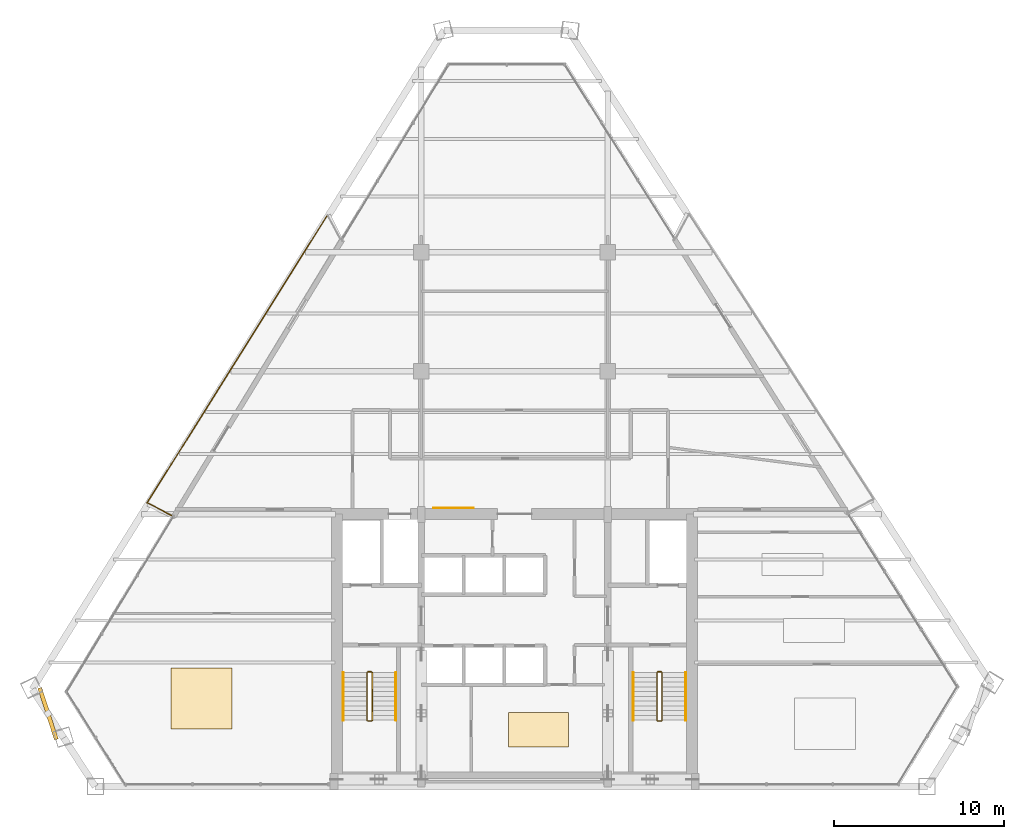
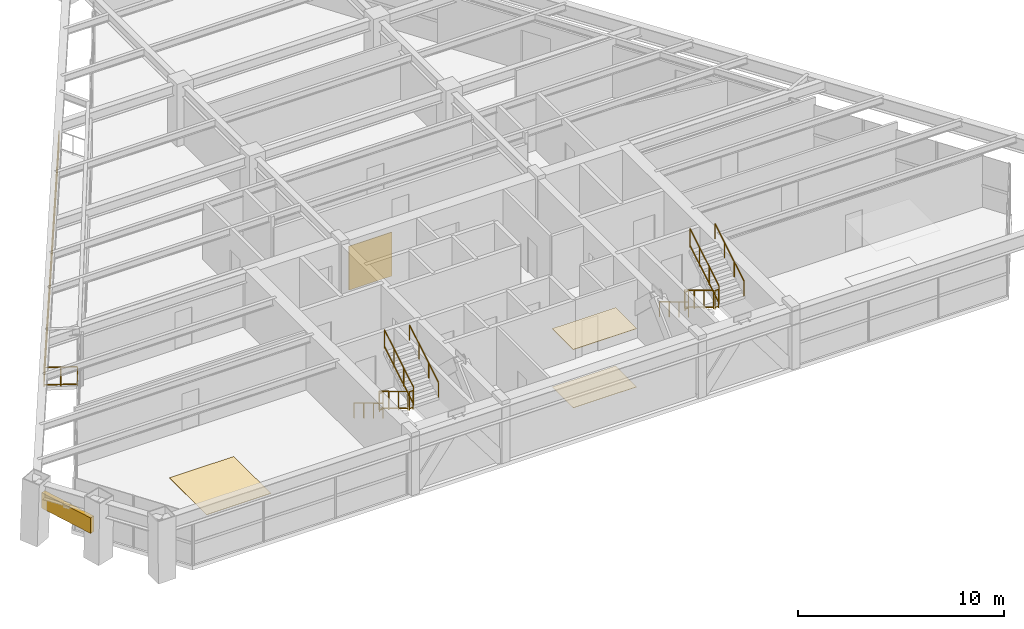
# One storey, part 12 of 13: 14 railings, 4 coverings, 1 shading device.
"""IFC4 building model written with IfcOpenShell, lengths in metres."""

from ifc_helpers import new_model, si_unit, direction, frame, origin, origin_2d, place, context, subcontext, project, spatial, rectangle, extrude, source, transform, mapped, material, layer, layer_set, type_object, type_shapes, element, save


model = new_model("IFC4")

# Units and contexts
model_context = context("Model", 3, precision=1e-05, world=origin(), true_north=direction((0.0, 1.0)))
body_context = subcontext(model_context, "Body", "Model", "MODEL_VIEW")
ifc_project = project(units=[si_unit("LENGTHUNIT", "METRE"), si_unit("AREAUNIT", "SQUARE_METRE"), si_unit("VOLUMEUNIT", "CUBIC_METRE"), si_unit("PLANEANGLEUNIT", "RADIAN"), si_unit("MASSUNIT", "GRAM", prefix="KILO")], contexts=[model_context])

# Site, building, storey
site_placement = place(None, origin())
site = spatial("IfcSite", under=ifc_project, at=site_placement, CompositionType="ELEMENT")
building_placement = place(site_placement, origin())
building = spatial("IfcBuilding", under=site, at=building_placement, Name="Varnakhor Terracotta Tower", CompositionType="ELEMENT")
storey_placement = place(building_placement, frame((0.0, 0.0, 204.300048828125)))
storey = spatial("IfcBuildingStorey", under=building, at=storey_placement, Name="L52", CompositionType="ELEMENT", Elevation=204.300048828125)

# Railings
ifc_material_1 = material(Name="Stainless Steel & Laminated Glass Guardrail", Category="steel")
railing_type_1 = type_object("IfcRailingType", Name="RLG-LOGGIA-GUARD-1150", PredefinedType="GUARDRAIL", material=ifc_material_1)
railing_1_placement = place(storey_placement, frame((-20.226318359375, 15.98193359375, 0.0)))
element("IfcRailing", 1, at=railing_1_placement, inside=storey, type_object=railing_type_1, Name="L52 W Loggia Glass Guard 1", PredefinedType="GUARDRAIL", context=body_context, shape_type="SweptSolid", body=[
    extrude(rectangle(XDim=0.048095703125, YDim=0.048095703125, at=origin_2d()), frame((0.0, 0.0, 1.1259765625), z_axis=(-0.88413483846, 0.467231834768, 0.0), x_axis=(-0.467231834768, -0.88413483846, 0.0)), (0.0, 0.0, 1.0), 1.625),
    extrude(rectangle(XDim=0.048095703125, YDim=0.048095703125, at=origin_2d()), frame((0.0, 0.0, 0.10009765625), z_axis=(-0.88413483846, 0.467231834768, 0.0), x_axis=(-0.467231834768, -0.88413483846, 0.0)), (0.0, 0.0, 1.0), 1.625),
    extrude(rectangle(XDim=0.0419921875, YDim=0.0419921875, at=origin_2d()), origin(), (0.0, 0.0, 1.0), 1.101806640625),
    extrude(rectangle(XDim=0.0419921875, YDim=0.0419921875, at=origin_2d()), frame((-0.71826171875, 0.379638671875, 0.0)), (0.0, 0.0, 1.0), 1.101806640625),
    extrude(rectangle(XDim=0.0419921875, YDim=0.0419921875, at=origin_2d()), frame((-1.436767578125, 0.75927734375, 0.0)), (0.0, 0.0, 1.0), 1.101806640625),
])
railing_2_placement = place(storey_placement, frame((-21.6630859375, 16.7412109375, 0.0)))
element("IfcRailing", 2, at=railing_2_placement, inside=storey, type_object=railing_type_1, Name="L52 W Loggia Glass Guard 2", PredefinedType="GUARDRAIL", context=body_context, shape_type="SweptSolid", body=[
    extrude(rectangle(XDim=0.048095703125, YDim=0.048095703125, at=origin_2d()), frame((0.0, 0.0, 1.1259765625), z_axis=(0.531104327035, 0.847306434417, 0.0), x_axis=(-0.847306434417, 0.531104327035, 0.0)), (0.0, 0.0, 1.0), 20.003662109375),
    extrude(rectangle(XDim=0.048095703125, YDim=0.048095703125, at=origin_2d()), frame((0.0, 0.0, 0.10009765625), z_axis=(0.531104327035, 0.847306434417, 0.0), x_axis=(-0.847306434417, 0.531104327035, 0.0)), (0.0, 0.0, 1.0), 20.003662109375),
    extrude(rectangle(XDim=0.0419921875, YDim=0.0419921875, at=origin_2d()), origin(), (0.0, 0.0, 1.0), 1.101806640625),
    extrude(rectangle(XDim=0.0419921875, YDim=0.0419921875, at=origin_2d()), frame((0.708251953125, 1.1298828125, 0.0)), (0.0, 0.0, 1.0), 1.101806640625),
    extrude(rectangle(XDim=0.0419921875, YDim=0.0419921875, at=origin_2d()), frame((1.41650390625, 2.260009765625, 0.0)), (0.0, 0.0, 1.0), 1.101806640625),
    extrude(rectangle(XDim=0.0419921875, YDim=0.0419921875, at=origin_2d()), frame((2.124755859375, 3.389892578125, 0.0)), (0.0, 0.0, 1.0), 1.101806640625),
    extrude(rectangle(XDim=0.0419921875, YDim=0.0419921875, at=origin_2d()), frame((2.8330078125, 4.519775390625, 0.0)), (0.0, 0.0, 1.0), 1.101806640625),
    extrude(rectangle(XDim=0.0419921875, YDim=0.0419921875, at=origin_2d()), frame((3.541259765625, 5.649658203125, 0.0)), (0.0, 0.0, 1.0), 1.101806640625),
    extrude(rectangle(XDim=0.0419921875, YDim=0.0419921875, at=origin_2d()), frame((4.24951171875, 6.77978515625, 0.0)), (0.0, 0.0, 1.0), 1.101806640625),
    extrude(rectangle(XDim=0.0419921875, YDim=0.0419921875, at=origin_2d()), frame((4.957763671875, 7.90966796875, 0.0)), (0.0, 0.0, 1.0), 1.101806640625),
    extrude(rectangle(XDim=0.0419921875, YDim=0.0419921875, at=origin_2d()), frame((5.666259765625, 9.03955078125, 0.0)), (0.0, 0.0, 1.0), 1.101806640625),
    extrude(rectangle(XDim=0.0419921875, YDim=0.0419921875, at=origin_2d()), frame((6.37451171875, 10.16943359375, 0.0)), (0.0, 0.0, 1.0), 1.101806640625),
    extrude(rectangle(XDim=0.0419921875, YDim=0.0419921875, at=origin_2d()), frame((7.082763671875, 11.299560546875, 0.0)), (0.0, 0.0, 1.0), 1.101806640625),
    extrude(rectangle(XDim=0.0419921875, YDim=0.0419921875, at=origin_2d()), frame((7.791015625, 12.429443359375, 0.0)), (0.0, 0.0, 1.0), 1.101806640625),
    extrude(rectangle(XDim=0.0419921875, YDim=0.0419921875, at=origin_2d()), frame((8.499267578125, 13.559326171875, 0.0)), (0.0, 0.0, 1.0), 1.101806640625),
    extrude(rectangle(XDim=0.0419921875, YDim=0.0419921875, at=origin_2d()), frame((9.20751953125, 14.689208984375, 0.0)), (0.0, 0.0, 1.0), 1.101806640625),
    extrude(rectangle(XDim=0.0419921875, YDim=0.0419921875, at=origin_2d()), frame((9.915771484375, 15.8193359375, 0.0)), (0.0, 0.0, 1.0), 1.101806640625),
    extrude(rectangle(XDim=0.0419921875, YDim=0.0419921875, at=origin_2d()), frame((10.6240234375, 16.94921875, 0.0)), (0.0, 0.0, 1.0), 1.101806640625),
])
ifc_material_2 = material(Name="Painted Steel Stairwell Guardrail", Category="steel")
railing_type_2 = type_object("IfcRailingType", Name="RLG-STAIR-GUARD-1120", PredefinedType="GUARDRAIL", material=ifc_material_2)
railing_3_placement = place(storey_placement, frame((-8.699951171875, 6.7099609375, 0.168212890625)))
element("IfcRailing", 3, at=railing_3_placement, inside=storey, type_object=railing_type_2, Name="L52 ST-1 stair guard 1", PredefinedType="GUARDRAIL", context=body_context, shape_type="SweptSolid", body=[
    extrude(rectangle(XDim=0.048095703125, YDim=0.048095703125, at=origin_2d()), frame((0.0, 0.0, 1.09619140625), z_axis=(0.0, -0.857275202839, 0.514858452973), x_axis=(1.0, 0.0, 0.0)), (0.0, 0.0, 1.0), 3.26611328125),
    extrude(rectangle(XDim=0.048095703125, YDim=0.048095703125, at=origin_2d()), frame((0.0, 0.0, 0.10009765625), z_axis=(0.0, -0.857275202839, 0.514858452973), x_axis=(1.0, 0.0, 0.0)), (0.0, 0.0, 1.0), 3.26611328125),
    extrude(rectangle(XDim=0.0419921875, YDim=0.0419921875, at=origin_2d()), origin(), (0.0, 0.0, 1.0), 1.072021484375),
    extrude(rectangle(XDim=0.0419921875, YDim=0.0419921875, at=origin_2d()), frame((0.0, -0.933349609375, 0.560546875)), (0.0, 0.0, 1.0), 1.072021484375),
    extrude(rectangle(XDim=0.0419921875, YDim=0.0419921875, at=origin_2d()), frame((0.0, -1.86669921875, 1.12109375)), (0.0, 0.0, 1.0), 1.072021484375),
    extrude(rectangle(XDim=0.0419921875, YDim=0.0419921875, at=origin_2d()), frame((0.0, -2.800048828125, 1.681640625)), (0.0, 0.0, 1.0), 1.072021484375),
])
railing_4_placement = place(storey_placement, frame((-8.64990234375, 3.860107421875, 1.849853515625)))
element("IfcRailing", 4, at=railing_4_placement, inside=storey, type_object=railing_type_2, Name="L52 ST-1 stair guard 2", PredefinedType="GUARDRAIL", context=body_context, shape_type="SweptSolid", body=[
    extrude(rectangle(XDim=0.048095703125, YDim=0.048095703125, at=origin_2d()), frame((0.0, 0.0, 1.09619140625), z_axis=(1.0, 0.0, 0.0), x_axis=(0.0, 1.0, 0.0)), (0.0, 0.0, 1.0), 0.199951171875),
    extrude(rectangle(XDim=0.048095703125, YDim=0.048095703125, at=origin_2d()), frame((0.0, 0.0, 0.10009765625), z_axis=(1.0, 0.0, 0.0), x_axis=(0.0, 1.0, 0.0)), (0.0, 0.0, 1.0), 0.199951171875),
    extrude(rectangle(XDim=0.0419921875, YDim=0.0419921875, at=origin_2d()), origin(), (0.0, 0.0, 1.0), 1.072021484375),
    extrude(rectangle(XDim=0.0419921875, YDim=0.0419921875, at=origin_2d()), frame((0.199951171875, 0.0, 0.0)), (0.0, 0.0, 1.0), 1.072021484375),
])
railing_5_placement = place(storey_placement, frame((-8.39990234375, 3.909912109375, 2.01806640625)))
element("IfcRailing", 5, at=railing_5_placement, inside=storey, type_object=railing_type_2, Name="L52 ST-1 stair guard 3", PredefinedType="GUARDRAIL", context=body_context, shape_type="SweptSolid", body=[
    extrude(rectangle(XDim=0.048095703125, YDim=0.048095703125, at=origin_2d()), frame((0.0, 0.0, 1.09619140625), z_axis=(0.0, 0.857242210791, 0.514913383045), x_axis=(-1.0, 0.0, 0.0)), (0.0, 0.0, 1.0), 3.266357421875),
    extrude(rectangle(XDim=0.048095703125, YDim=0.048095703125, at=origin_2d()), frame((0.0, 0.0, 0.10009765625), z_axis=(0.0, 0.857242210791, 0.514913383045), x_axis=(-1.0, 0.0, 0.0)), (0.0, 0.0, 1.0), 3.266357421875),
    extrude(rectangle(XDim=0.0419921875, YDim=0.0419921875, at=origin_2d()), origin(), (0.0, 0.0, 1.0), 1.072021484375),
    extrude(rectangle(XDim=0.0419921875, YDim=0.0419921875, at=origin_2d()), frame((0.0, 0.933349609375, 0.560546875)), (0.0, 0.0, 1.0), 1.072021484375),
    extrude(rectangle(XDim=0.0419921875, YDim=0.0419921875, at=origin_2d()), frame((0.0, 1.86669921875, 1.121337890625)), (0.0, 0.0, 1.0), 1.072021484375),
    extrude(rectangle(XDim=0.0419921875, YDim=0.0419921875, at=origin_2d()), frame((0.0, 2.800048828125, 1.681884765625)), (0.0, 0.0, 1.0), 1.072021484375),
])
railing_6_placement = place(storey_placement, frame((-8.64990234375, 6.760009765625, 0.0)))
element("IfcRailing", 6, at=railing_6_placement, inside=storey, type_object=railing_type_2, Name="L52 ST-1 stair guard 4", PredefinedType="GUARDRAIL", context=body_context, shape_type="SweptSolid", body=[
    extrude(rectangle(XDim=0.048095703125, YDim=0.048095703125, at=origin_2d()), frame((0.0, 0.0, 1.09619140625), z_axis=(1.0, 0.0, 0.0), x_axis=(0.0, 1.0, 0.0)), (0.0, 0.0, 1.0), 0.199951171875),
    extrude(rectangle(XDim=0.048095703125, YDim=0.048095703125, at=origin_2d()), frame((0.0, 0.0, 0.10009765625), z_axis=(1.0, 0.0, 0.0), x_axis=(0.0, 1.0, 0.0)), (0.0, 0.0, 1.0), 0.199951171875),
    extrude(rectangle(XDim=0.0419921875, YDim=0.0419921875, at=origin_2d()), origin(), (0.0, 0.0, 1.0), 1.072021484375),
    extrude(rectangle(XDim=0.0419921875, YDim=0.0419921875, at=origin_2d()), frame((0.199951171875, 0.0, 0.0)), (0.0, 0.0, 1.0), 1.072021484375),
])
railing_7_placement = place(storey_placement, frame((8.39990234375, 6.7099609375, 0.168212890625)))
element("IfcRailing", 7, at=railing_7_placement, inside=storey, type_object=railing_type_2, Name="L52 ST-2 stair guard 1", PredefinedType="GUARDRAIL", context=body_context, shape_type="SweptSolid", body=[
    extrude(rectangle(XDim=0.048095703125, YDim=0.048095703125, at=origin_2d()), frame((0.0, 0.0, 1.09619140625), z_axis=(0.0, -0.857275202839, 0.514858452973), x_axis=(1.0, 0.0, 0.0)), (0.0, 0.0, 1.0), 3.26611328125),
    extrude(rectangle(XDim=0.048095703125, YDim=0.048095703125, at=origin_2d()), frame((0.0, 0.0, 0.10009765625), z_axis=(0.0, -0.857275202839, 0.514858452973), x_axis=(1.0, 0.0, 0.0)), (0.0, 0.0, 1.0), 3.26611328125),
    extrude(rectangle(XDim=0.0419921875, YDim=0.0419921875, at=origin_2d()), origin(), (0.0, 0.0, 1.0), 1.072021484375),
    extrude(rectangle(XDim=0.0419921875, YDim=0.0419921875, at=origin_2d()), frame((0.0, -0.933349609375, 0.560546875)), (0.0, 0.0, 1.0), 1.072021484375),
    extrude(rectangle(XDim=0.0419921875, YDim=0.0419921875, at=origin_2d()), frame((0.0, -1.86669921875, 1.12109375)), (0.0, 0.0, 1.0), 1.072021484375),
    extrude(rectangle(XDim=0.0419921875, YDim=0.0419921875, at=origin_2d()), frame((0.0, -2.800048828125, 1.681640625)), (0.0, 0.0, 1.0), 1.072021484375),
])
railing_8_placement = place(storey_placement, frame((8.449951171875, 3.860107421875, 1.849853515625)))
element("IfcRailing", 8, at=railing_8_placement, inside=storey, type_object=railing_type_2, Name="L52 ST-2 stair guard 2", PredefinedType="GUARDRAIL", context=body_context, shape_type="SweptSolid", body=[
    extrude(rectangle(XDim=0.048095703125, YDim=0.048095703125, at=origin_2d()), frame((0.0, 0.0, 1.09619140625), z_axis=(1.0, 0.0, 0.0), x_axis=(0.0, 1.0, 0.0)), (0.0, 0.0, 1.0), 0.199951171875),
    extrude(rectangle(XDim=0.048095703125, YDim=0.048095703125, at=origin_2d()), frame((0.0, 0.0, 0.10009765625), z_axis=(1.0, 0.0, 0.0), x_axis=(0.0, 1.0, 0.0)), (0.0, 0.0, 1.0), 0.199951171875),
    extrude(rectangle(XDim=0.0419921875, YDim=0.0419921875, at=origin_2d()), origin(), (0.0, 0.0, 1.0), 1.072021484375),
    extrude(rectangle(XDim=0.0419921875, YDim=0.0419921875, at=origin_2d()), frame((0.199951171875, 0.0, 0.0)), (0.0, 0.0, 1.0), 1.072021484375),
])
railing_9_placement = place(storey_placement, frame((8.699951171875, 3.909912109375, 2.01806640625)))
element("IfcRailing", 9, at=railing_9_placement, inside=storey, type_object=railing_type_2, Name="L52 ST-2 stair guard 3", PredefinedType="GUARDRAIL", context=body_context, shape_type="SweptSolid", body=[
    extrude(rectangle(XDim=0.048095703125, YDim=0.048095703125, at=origin_2d()), frame((0.0, 0.0, 1.09619140625), z_axis=(0.0, 0.857242210791, 0.514913383045), x_axis=(-1.0, 0.0, 0.0)), (0.0, 0.0, 1.0), 3.266357421875),
    extrude(rectangle(XDim=0.048095703125, YDim=0.048095703125, at=origin_2d()), frame((0.0, 0.0, 0.10009765625), z_axis=(0.0, 0.857242210791, 0.514913383045), x_axis=(-1.0, 0.0, 0.0)), (0.0, 0.0, 1.0), 3.266357421875),
    extrude(rectangle(XDim=0.0419921875, YDim=0.0419921875, at=origin_2d()), origin(), (0.0, 0.0, 1.0), 1.072021484375),
    extrude(rectangle(XDim=0.0419921875, YDim=0.0419921875, at=origin_2d()), frame((0.0, 0.933349609375, 0.560546875)), (0.0, 0.0, 1.0), 1.072021484375),
    extrude(rectangle(XDim=0.0419921875, YDim=0.0419921875, at=origin_2d()), frame((0.0, 1.86669921875, 1.121337890625)), (0.0, 0.0, 1.0), 1.072021484375),
    extrude(rectangle(XDim=0.0419921875, YDim=0.0419921875, at=origin_2d()), frame((0.0, 2.800048828125, 1.681884765625)), (0.0, 0.0, 1.0), 1.072021484375),
])
railing_10_placement = place(storey_placement, frame((8.449951171875, 6.760009765625, 0.0)))
element("IfcRailing", 10, at=railing_10_placement, inside=storey, type_object=railing_type_2, Name="L52 ST-2 stair guard 4", PredefinedType="GUARDRAIL", context=body_context, shape_type="SweptSolid", body=[
    extrude(rectangle(XDim=0.048095703125, YDim=0.048095703125, at=origin_2d()), frame((0.0, 0.0, 1.09619140625), z_axis=(1.0, 0.0, 0.0), x_axis=(0.0, 1.0, 0.0)), (0.0, 0.0, 1.0), 0.199951171875),
    extrude(rectangle(XDim=0.048095703125, YDim=0.048095703125, at=origin_2d()), frame((0.0, 0.0, 0.10009765625), z_axis=(1.0, 0.0, 0.0), x_axis=(0.0, 1.0, 0.0)), (0.0, 0.0, 1.0), 0.199951171875),
    extrude(rectangle(XDim=0.0419921875, YDim=0.0419921875, at=origin_2d()), origin(), (0.0, 0.0, 1.0), 1.072021484375),
    extrude(rectangle(XDim=0.0419921875, YDim=0.0419921875, at=origin_2d()), frame((0.199951171875, 0.0, 0.0)), (0.0, 0.0, 1.0), 1.072021484375),
])
ifc_material_3 = material(Name="Brushed Stainless Steel Handrail", Category="steel")
railing_type_3 = type_object("IfcRailingType", Name="RLG-STAIR-HANDRAIL-920", PredefinedType="HANDRAIL", material=ifc_material_3)
railing_11_placement = place(storey_placement, frame((-10.10009765625, 6.7099609375, 0.168212890625)))
element("IfcRailing", 11, at=railing_11_placement, inside=storey, type_object=railing_type_3, Name="L52 ST-1 stair handrail 1", PredefinedType="HANDRAIL", context=body_context, shape_type="SweptSolid", body=[
    extrude(rectangle(XDim=0.048095703125, YDim=0.048095703125, at=origin_2d()), frame((0.0, 0.0, 0.89599609375), z_axis=(0.0, -0.857275202839, 0.514858452973), x_axis=(1.0, 0.0, 0.0)), (0.0, 0.0, 1.0), 3.26611328125),
    extrude(rectangle(XDim=0.0419921875, YDim=0.0419921875, at=origin_2d()), origin(), (0.0, 0.0, 1.0), 0.871826171875),
    extrude(rectangle(XDim=0.0419921875, YDim=0.0419921875, at=origin_2d()), frame((0.0, -0.933349609375, 0.560546875)), (0.0, 0.0, 1.0), 0.871826171875),
    extrude(rectangle(XDim=0.0419921875, YDim=0.0419921875, at=origin_2d()), frame((0.0, -1.86669921875, 1.12109375)), (0.0, 0.0, 1.0), 0.871826171875),
    extrude(rectangle(XDim=0.0419921875, YDim=0.0419921875, at=origin_2d()), frame((0.0, -2.800048828125, 1.681640625)), (0.0, 0.0, 1.0), 0.871826171875),
])
railing_12_placement = place(storey_placement, frame((-7.0, 3.909912109375, 2.01806640625)))
element("IfcRailing", 12, at=railing_12_placement, inside=storey, type_object=railing_type_3, Name="L52 ST-1 stair handrail 2", PredefinedType="HANDRAIL", context=body_context, shape_type="SweptSolid", body=[
    extrude(rectangle(XDim=0.048095703125, YDim=0.048095703125, at=origin_2d()), frame((0.0, 0.0, 0.89599609375), z_axis=(0.0, 0.857242210791, 0.514913383045), x_axis=(-1.0, 0.0, 0.0)), (0.0, 0.0, 1.0), 3.266357421875),
    extrude(rectangle(XDim=0.0419921875, YDim=0.0419921875, at=origin_2d()), origin(), (0.0, 0.0, 1.0), 0.871826171875),
    extrude(rectangle(XDim=0.0419921875, YDim=0.0419921875, at=origin_2d()), frame((0.0, 0.933349609375, 0.560546875)), (0.0, 0.0, 1.0), 0.871826171875),
    extrude(rectangle(XDim=0.0419921875, YDim=0.0419921875, at=origin_2d()), frame((0.0, 1.86669921875, 1.121337890625)), (0.0, 0.0, 1.0), 0.871826171875),
    extrude(rectangle(XDim=0.0419921875, YDim=0.0419921875, at=origin_2d()), frame((0.0, 2.800048828125, 1.681884765625)), (0.0, 0.0, 1.0), 0.871826171875),
])
railing_13_placement = place(storey_placement, frame((7.0, 6.7099609375, 0.168212890625)))
element("IfcRailing", 13, at=railing_13_placement, inside=storey, type_object=railing_type_3, Name="L52 ST-2 stair handrail 1", PredefinedType="HANDRAIL", context=body_context, shape_type="SweptSolid", body=[
    extrude(rectangle(XDim=0.048095703125, YDim=0.048095703125, at=origin_2d()), frame((0.0, 0.0, 0.89599609375), z_axis=(0.0, -0.857275202839, 0.514858452973), x_axis=(1.0, 0.0, 0.0)), (0.0, 0.0, 1.0), 3.26611328125),
    extrude(rectangle(XDim=0.0419921875, YDim=0.0419921875, at=origin_2d()), origin(), (0.0, 0.0, 1.0), 0.871826171875),
    extrude(rectangle(XDim=0.0419921875, YDim=0.0419921875, at=origin_2d()), frame((0.0, -0.933349609375, 0.560546875)), (0.0, 0.0, 1.0), 0.871826171875),
    extrude(rectangle(XDim=0.0419921875, YDim=0.0419921875, at=origin_2d()), frame((0.0, -1.86669921875, 1.12109375)), (0.0, 0.0, 1.0), 0.871826171875),
    extrude(rectangle(XDim=0.0419921875, YDim=0.0419921875, at=origin_2d()), frame((0.0, -2.800048828125, 1.681640625)), (0.0, 0.0, 1.0), 0.871826171875),
])
railing_14_placement = place(storey_placement, frame((10.10009765625, 3.909912109375, 2.01806640625)))
element("IfcRailing", 14, at=railing_14_placement, inside=storey, type_object=railing_type_3, Name="L52 ST-2 stair handrail 2", PredefinedType="HANDRAIL", context=body_context, shape_type="SweptSolid", body=[
    extrude(rectangle(XDim=0.048095703125, YDim=0.048095703125, at=origin_2d()), frame((0.0, 0.0, 0.89599609375), z_axis=(0.0, 0.857242210791, 0.514913383045), x_axis=(-1.0, 0.0, 0.0)), (0.0, 0.0, 1.0), 3.266357421875),
    extrude(rectangle(XDim=0.0419921875, YDim=0.0419921875, at=origin_2d()), origin(), (0.0, 0.0, 1.0), 0.871826171875),
    extrude(rectangle(XDim=0.0419921875, YDim=0.0419921875, at=origin_2d()), frame((0.0, 0.933349609375, 0.560546875)), (0.0, 0.0, 1.0), 0.871826171875),
    extrude(rectangle(XDim=0.0419921875, YDim=0.0419921875, at=origin_2d()), frame((0.0, 1.86669921875, 1.121337890625)), (0.0, 0.0, 1.0), 0.871826171875),
    extrude(rectangle(XDim=0.0419921875, YDim=0.0419921875, at=origin_2d()), frame((0.0, 2.800048828125, 1.681884765625)), (0.0, 0.0, 1.0), 0.871826171875),
])

# Shading device
ifc_material_4 = material(Name="Extruded Architectural Terracotta Screen", Category="masonry")
shading_device_type = type_object("IfcShadingDeviceType", Name="TERRACOTTA SOLAR SCREEN W", PredefinedType="USERDEFINED", material=ifc_material_4)
shared_shape_1 = source(origin(), body_context, "Body", "SweptSolid", [
    extrude(rectangle(XDim=3.199951171875, YDim=0.239990234375, at=origin_2d()), origin(), (0.0, 0.0, 1.0), 0.919921875),
])
type_shapes(shading_device_type, [shared_shape_1])
shading_device_placement = place(storey_placement, frame((-27.517822265625, 4.296875, 1.7099609375), z_axis=(0.0, 0.0, 1.0), x_axis=(0.307190528564, -0.951648033235, 0.0)))
element("IfcShadingDevice", 15, at=shading_device_placement, inside=storey, type_object=shading_device_type, Name="L52 W Terracotta Solar Screen", ObjectType="SCREEN", PredefinedType="USERDEFINED", context=body_context, shape_type="MappedRepresentation", body=[
    mapped(shared_shape_1, transform((0.0, 0.0, 0.0), scale=1.0)),
])

# Coverings
ifc_material_5 = material(Name="Extruded Architectural Terracotta Cladding", Category="masonry")
ifc_layer_1 = layer(ifc_material_5, 0.044921875, Name="Extruded Architectural Terracotta Cladding")
ifc_layer_set_1 = layer_set([ifc_layer_1], Name="Extruded Architectural Terracotta Cladding")
covering_type_1 = type_object("IfcCoveringType", Name="COV-CLAD-TERRACOTTA", PredefinedType="CLADDING", material=ifc_layer_set_1)
shared_shape_2 = source(origin(), body_context, "Body", "SweptSolid", [
    extrude(rectangle(XDim=2.39990234375, YDim=0.030029296875, at=origin_2d()), origin(), (0.0, 0.0, 1.0), 2.60009765625),
])
type_shapes(covering_type_1, [shared_shape_2])
covering_1_placement = place(storey_placement, frame((-3.60009765625, 16.412109375, 0.0), z_axis=(0.0, 0.0, 1.0), x_axis=(1.0, 0.0, 0.0)))
element("IfcCovering", 16, at=covering_1_placement, inside=storey, type_object=covering_type_1, Name="L52 Core Lobby Limestone Cladding", PredefinedType="CLADDING", context=body_context, shape_type="MappedRepresentation", body=[
    mapped(shared_shape_2, transform((0.0, 0.0, 0.0), scale=1.0)),
])
ifc_material_6 = material(Name="Honed Riyadh Limestone Flooring", Category="masonry")
ifc_layer_2 = layer(ifc_material_6, 0.030029296875, Name="Honed Riyadh Limestone Flooring")
ifc_layer_set_2 = layer_set([ifc_layer_2], Name="Honed Riyadh Limestone Flooring")
covering_type_2 = type_object("IfcCoveringType", Name="COV-FLOOR-LIMESTONE", PredefinedType="FLOORING", material=ifc_layer_set_2)
shared_shape_3 = source(origin(), body_context, "Body", "SweptSolid", [
    extrude(rectangle(XDim=3.60009765625, YDim=3.60009765625, at=origin_2d()), origin(), (0.0, 0.0, 1.0), 0.02001953125),
])
covering_2_placement = place(storey_placement, frame((-18.465087890625, 5.201904296875, 0.0), z_axis=(0.0, 0.0, 1.0), x_axis=(1.0, 0.0, 0.0)))
element("IfcCovering", 17, at=covering_2_placement, inside=storey, type_object=covering_type_2, Name="L52 Honed Stone Flooring 3", PredefinedType="FLOORING", context=body_context, shape_type="MappedRepresentation", body=[
    mapped(shared_shape_3, transform((0.0, 0.0, 0.0), scale=1.0)),
])
shared_shape_4 = source(origin(), body_context, "Body", "SweptSolid", [
    extrude(rectangle(XDim=3.547119140625, YDim=2.041015625, at=origin_2d()), origin(), (0.0, 0.0, 1.0), 0.02001953125),
])
covering_3_placement = place(storey_placement, frame((1.4150390625, 3.35498046875, 0.0), z_axis=(0.0, 0.0, 1.0), x_axis=(1.0, 0.0, 0.0)))
element("IfcCovering", 18, at=covering_3_placement, inside=storey, type_object=covering_type_2, Name="L52 Honed Stone Flooring 1", PredefinedType="FLOORING", context=body_context, shape_type="MappedRepresentation", body=[
    mapped(shared_shape_4, transform((0.0, 0.0, 0.0), scale=1.0)),
])
ifc_material_7 = material(Name="Perforated Acoustic Mineral-Fibre Ceiling", Category="gypsum")
ifc_layer_3 = layer(ifc_material_7, 0.02490234375, Name="Perforated Acoustic Mineral-Fibre Ceiling")
ifc_layer_set_3 = layer_set([ifc_layer_3], Name="Perforated Acoustic Mineral-Fibre Ceiling")
covering_type_3 = type_object("IfcCoveringType", Name="COV-CEILING-ACOUSTIC", PredefinedType="CEILING", material=ifc_layer_set_3)
shared_shape_5 = source(origin(), body_context, "Body", "SweptSolid", [
    extrude(rectangle(XDim=3.547119140625, YDim=2.041015625, at=origin_2d()), origin(), (0.0, 0.0, 1.0), 0.02392578125),
])
covering_4_placement = place(storey_placement, frame((1.4150390625, 3.35498046875, 3.446044921875), z_axis=(0.0, 0.0, 1.0), x_axis=(1.0, 0.0, 0.0)))
element("IfcCovering", 19, at=covering_4_placement, inside=storey, type_object=covering_type_3, Name="L52 Acoustic Ceiling Panel 1", PredefinedType="CEILING", context=body_context, shape_type="MappedRepresentation", body=[
    mapped(shared_shape_5, transform((0.0, 0.0, 0.0), scale=1.0)),
])

save(model, "model.ifc")
